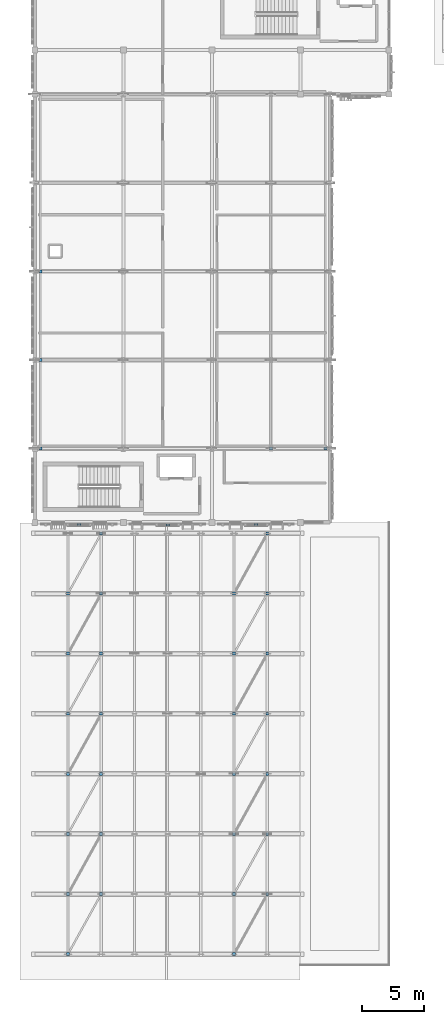
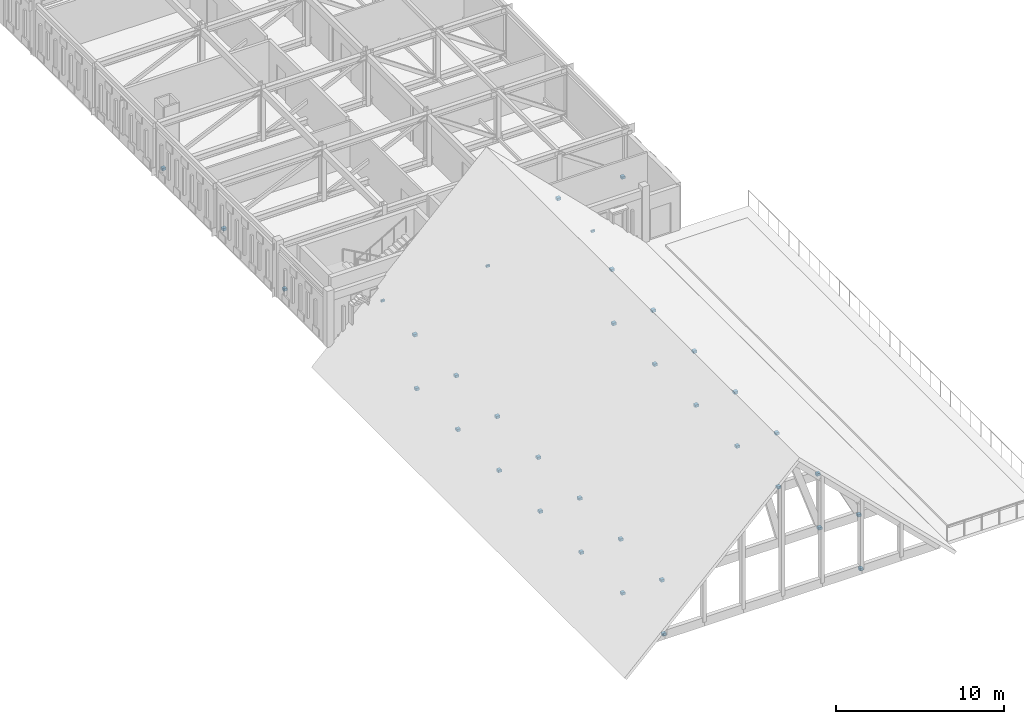
# One storey, part 55 of 79: 36 discrete accessories.
"""IFC4 building model written with IfcOpenShell, lengths in metres."""

import ifcopenshell
import ifcopenshell.guid

model = None  # the IFC model being written
_history = None  # IfcOwnerHistory: only IFC2X3 demands one
_inside = {}  # id of a spatial element -> (the spatial element, [elements in it])
_under = {}  # id of a project, library or spatial element -> (it, [spatial elements below it])
_declared = {}  # id of a project -> (the project, [libraries it declares])
_typed = {}  # id of a type object -> (the type object, [elements of that type])
_made_of = {}  # id of a material, layer set ... -> (it, [elements and type objects made of it])


def new_model(schema):
    """Start an empty IFC model of exactly this schema.

    Asked for "IFC4X3", IfcOpenShell would pick the latest addendum, in which some entities
    have other attributes; the version numbers below select the first issue.
    IFC2X3 requires an IfcOwnerHistory on every rooted entity: one is made here for all.
    """
    global model, _history
    if schema == "IFC4X3":
        model = ifcopenshell.file(schema_version=(4, 3, 0, 0))
    else:
        model = ifcopenshell.file(schema=schema)
    _inside.clear()
    _under.clear()
    _declared.clear()
    _typed.clear()
    _made_of.clear()
    _history = None
    if model.schema == "IFC2X3":
        org = make("IfcOrganization", Name="unknown")
        user = make(
            "IfcPersonAndOrganization",
            ThePerson=make("IfcPerson", FamilyName="unknown"),
            TheOrganization=org,
        )
        app = make(
            "IfcApplication",
            ApplicationDeveloper=org,
            Version="unknown",
            ApplicationFullName="unknown",
            ApplicationIdentifier="unknown",
        )
        _history = make(
            "IfcOwnerHistory",
            OwningUser=user,
            OwningApplication=app,
            ChangeAction="ADDED",
            CreationDate=0,
        )
    return model


def make(cls, **values):
    """One entity of the class cls with the attributes given. An attribute that is None is left unset."""
    return model.create_entity(
        cls, **{name: value for name, value in values.items() if value is not None}
    )


def rooted(cls, **values):
    """An entity with a GlobalId (a new one), such as an element, a storey or a relation."""
    return make(cls, GlobalId=ifcopenshell.guid.new(), OwnerHistory=_history, **values)


def si_unit(unit_type, name, prefix=None):
    """IfcSIUnit, for example si_unit("LENGTHUNIT", "METRE", prefix="MILLI")."""
    return make("IfcSIUnit", UnitType=unit_type, Prefix=prefix, Name=name)


def assignment(units):
    """IfcUnitAssignment: the units of a project."""
    return None if units is None else make("IfcUnitAssignment", Units=units)


def point(xyz):
    """IfcCartesianPoint."""
    return None if xyz is None else make("IfcCartesianPoint", Coordinates=xyz)


def direction(xyz):
    """IfcDirection."""
    return None if xyz is None else make("IfcDirection", DirectionRatios=xyz)


def frame(location, z_axis=None, x_axis=None):
    """IfcAxis2Placement3D, a coordinate frame: its origin and axes. An axis left out is left unset."""
    return make(
        "IfcAxis2Placement3D",
        Location=point(location),
        Axis=direction(z_axis),
        RefDirection=direction(x_axis),
    )


def frame_2d(location, x_axis=None):
    """IfcAxis2Placement2D, a coordinate frame in the plane: its origin and x axis."""
    return make(
        "IfcAxis2Placement2D", Location=point(location), RefDirection=direction(x_axis)
    )


def origin():
    """The frame at (0, 0, 0) with its axes left unset."""
    return frame((0.0, 0.0, 0.0))


def origin_2d():
    """The frame at (0, 0) in the plane with its x axis left unset."""
    return frame_2d((0.0, 0.0))


def place(relative_to, where):
    """IfcLocalPlacement: puts the frame where relative to a parent placement (None: the world)."""
    return make(
        "IfcLocalPlacement", PlacementRelTo=relative_to, RelativePlacement=where
    )


def context(
    kind, dimensions, precision=None, world=None, true_north=None, identifier=None
):
    """IfcGeometricRepresentationContext, for example the 3D "Model" context."""
    return make(
        "IfcGeometricRepresentationContext",
        ContextIdentifier=identifier,
        ContextType=kind,
        CoordinateSpaceDimension=dimensions,
        Precision=precision,
        WorldCoordinateSystem=world,
        TrueNorth=true_north,
    )


def subcontext(parent, identifier, kind, view, scale=None):
    """IfcGeometricRepresentationSubContext, for example "Body" below "Model"."""
    return make(
        "IfcGeometricRepresentationSubContext",
        ContextIdentifier=identifier,
        ContextType=kind,
        ParentContext=parent,
        TargetScale=scale,
        TargetView=view,
    )


def project(units=None, contexts=None):
    """IfcProject with its units and contexts."""
    return rooted(
        "IfcProject",
        Name="project",
        RepresentationContexts=contexts,
        UnitsInContext=assignment(units),
    )


def spatial(cls, under=None, at=None, **own):
    """A site, building, storey or space (cls), placed at a placement, below another one or the project."""
    s = rooted(cls, ObjectPlacement=at, **own)
    if under is not None:
        _under.setdefault(under.id(), (under, []))[1].append(s)
    return s


def profile(cls, at=None, kind="AREA", **sizes):
    """A parametric profile (cls). Its sizes go by their IFC names, for example OverallWidth=200.0."""
    return make(cls, ProfileType=kind, Position=at, **sizes)


def rectangle(**sizes):
    """IfcRectangleProfileDef."""
    return profile("IfcRectangleProfileDef", **sizes)


def extrude(swept, where, along, depth):
    """IfcExtrudedAreaSolid: the profile swept, set in the frame where, extruded along a direction by depth."""
    return make(
        "IfcExtrudedAreaSolid",
        SweptArea=swept,
        Position=where,
        ExtrudedDirection=direction(along),
        Depth=depth,
    )


def shape(context_of_items, identifier, shape_type, items):
    """IfcShapeRepresentation: the items that make up one representation, for example the "Body"."""
    return make(
        "IfcShapeRepresentation",
        ContextOfItems=context_of_items,
        RepresentationIdentifier=identifier,
        RepresentationType=shape_type,
        Items=items,
    )


def material(Name=None, Category=None):
    """IfcMaterial."""
    return make("IfcMaterial", Name=Name, Category=Category)


def made_of(thing, what):
    """Note that an element or type object is made of a material, layer set ...; save() writes the relation."""
    if what is not None:
        _made_of.setdefault(what.id(), (what, []))[1].append(thing)
    return thing


def type_object(cls, material=None, **own):
    """A type object (cls), such as IfcWallType, which elements share."""
    return made_of(rooted(cls, **own), material)


def element(
    cls,
    number,
    at=None,
    inside=None,
    cuts=None,
    type_object=None,
    material=None,
    context=None,
    identifier="Body",
    shape_type=None,
    held_by="IfcProductDefinitionShape",
    body=None,
    shapes=None,
    **own,
):
    """One element of the class cls, such as IfcWall. Its Tag is "e" and its number.

    at: its placement. inside: the storey or other place that contains it. cuts: it is an
    opening in that element (IfcRelVoidsElement). A single representation is given by context,
    identifier, shape_type and body (its items); several are given by shapes. held_by: the class
    of the entity that holds the representations. save() writes the other relations.
    """
    e = rooted(cls, Tag="e%d" % number, ObjectPlacement=at, **own)
    if body is not None:
        shapes = [shape(context, identifier, shape_type, body)]
    if shapes is not None:
        e.Representation = make(held_by, Representations=shapes)
    if inside is not None:
        _inside.setdefault(inside.id(), (inside, []))[1].append(e)
    if cuts is not None:
        rooted(
            "IfcRelVoidsElement", RelatingBuildingElement=cuts, RelatedOpeningElement=e
        )
    if type_object is not None:
        _typed.setdefault(type_object.id(), (type_object, []))[1].append(e)
    return made_of(e, material)


def aggregate(whole, parts):
    """IfcRelAggregates: a whole, such as a stair, and the parts it consists of."""
    return rooted("IfcRelAggregates", RelatingObject=whole, RelatedObjects=parts)


def save(model, path):
    """Write the relations noted so far, then the file.

    IfcRelAggregates (storeys below a building ...), IfcRelContainedInSpatialStructure (elements
    in a storey), IfcRelDefinesByType, IfcRelAssociatesMaterial and IfcRelDeclares: one each for
    every whole, place, type object, material and project.
    """
    for whole, parts in _under.values():
        aggregate(whole, parts)
    for where, things in _inside.values():
        rooted(
            "IfcRelContainedInSpatialStructure",
            RelatedElements=things,
            RelatingStructure=where,
        )
    for kind, things in _typed.values():
        rooted("IfcRelDefinesByType", RelatedObjects=things, RelatingType=kind)
    for what, things in _made_of.values():
        rooted("IfcRelAssociatesMaterial", RelatedObjects=things, RelatingMaterial=what)
    for by, libraries in _declared.values():
        rooted("IfcRelDeclares", RelatingContext=by, RelatedDefinitions=libraries)
    model.write(path)


model = new_model("IFC4")

# Units and contexts
model_context = context("Model", 3, precision=1e-05, world=origin(), true_north=direction((0.0, 1.0)))
body_context = subcontext(model_context, "Body", "Model", "MODEL_VIEW")
ifc_project = project(units=[si_unit("LENGTHUNIT", "METRE"), si_unit("AREAUNIT", "SQUARE_METRE"), si_unit("VOLUMEUNIT", "CUBIC_METRE"), si_unit("PLANEANGLEUNIT", "RADIAN"), si_unit("MASSUNIT", "GRAM", prefix="KILO")], contexts=[model_context])

# Site, building, storey
site_placement = place(None, origin())
site = spatial("IfcSite", under=ifc_project, at=site_placement, CompositionType="ELEMENT")
building_placement = place(site_placement, origin())
building = spatial("IfcBuilding", under=site, at=building_placement, Name="Nzembalo Square Collegiate School", CompositionType="ELEMENT")
storey_placement = place(building_placement, frame((0.0, 0.0, 9.52001953125)))
storey = spatial("IfcBuildingStorey", under=building, at=storey_placement, Name="L02", CompositionType="ELEMENT", Elevation=9.52001953125)

# Discrete accessories
ifc_material = material(Name="Steel S355", Category="steel")
discrete_accessory_type = type_object("IfcDiscreteAccessoryType", Name="BK01", PredefinedType="BRACKET", material=ifc_material)
for number, where, z_axis, x_axis, name in (
    (1, (12.0, 44.21240234375, 1.98974609375), (0.0, 0.0, 1.0), (1.0, 0.0, 0.0), "Screen bracket BK01-009"),
    (2, (19.199951171875, 44.202392578125, 1.98974609375), (0.0, 0.0, 1.0), (1.0, 0.0, 0.0), "Screen bracket BK01-010"),
    (3, (26.39990234375, 44.21240234375, 1.98974609375), (0.0, 0.0, 1.0), (1.0, 0.0, 0.0), "Screen bracket BK01-011"),
):
    element("IfcDiscreteAccessory", number, at=place(storey_placement, frame(where, z_axis=z_axis, x_axis=x_axis)), inside=storey, type_object=discrete_accessory_type, Name=name, PredefinedType="BRACKET", context=body_context, shape_type="SweptSolid", body=[
        extrude(rectangle(XDim=0.239990234375, YDim=0.1201171875, at=origin_2d()), origin(), (0.0, 0.0, 1.0), 0.139892578125),
    ])
for number, where, z_axis, x_axis, name in (
    (4, (11.10009765625, 9.300048828125, -0.68994140625), (0.0, 0.0, 1.0), (1.0, 0.0, 0.0), "Steel S355 brace end gusset shoe BK01-B001"),
    (5, (13.800048828125, 14.185791015625, -0.68994140625), (0.0, 0.0, 1.0), (1.0, 0.0, 0.0), "Steel S355 brace end gusset shoe BK01-B002"),
    (6, (24.60009765625, 9.300048828125, -0.68994140625), (0.0, 0.0, 1.0), (1.0, 0.0, 0.0), "Steel S355 brace end gusset shoe BK01-B003"),
    (7, (27.300048828125, 14.185791015625, -0.68994140625), (0.0, 0.0, 1.0), (1.0, 0.0, 0.0), "Steel S355 brace end gusset shoe BK01-B004"),
    (8, (11.10009765625, 14.185791015625, -0.68994140625), (0.0, 0.0, 1.0), (1.0, 0.0, 0.0), "Steel S355 brace end gusset shoe BK01-B005"),
    (9, (13.800048828125, 19.0712890625, -0.68994140625), (0.0, 0.0, 1.0), (1.0, 0.0, 0.0), "Steel S355 brace end gusset shoe BK01-B006"),
    (10, (24.60009765625, 14.185791015625, -0.68994140625), (0.0, 0.0, 1.0), (1.0, 0.0, 0.0), "Steel S355 brace end gusset shoe BK01-B007"),
    (11, (27.300048828125, 19.0712890625, -0.68994140625), (0.0, 0.0, 1.0), (1.0, 0.0, 0.0), "Steel S355 brace end gusset shoe BK01-B008"),
    (12, (11.10009765625, 19.0712890625, -0.68994140625), (0.0, 0.0, 1.0), (1.0, 0.0, 0.0), "Steel S355 brace end gusset shoe BK01-B009"),
    (13, (13.800048828125, 23.95703125, -0.68994140625), (0.0, 0.0, 1.0), (1.0, 0.0, 0.0), "Steel S355 brace end gusset shoe BK01-B010"),
    (14, (24.60009765625, 19.0712890625, -0.68994140625), (0.0, 0.0, 1.0), (1.0, 0.0, 0.0), "Steel S355 brace end gusset shoe BK01-B011"),
    (15, (27.300048828125, 23.95703125, -0.68994140625), (0.0, 0.0, 1.0), (1.0, 0.0, 0.0), "Steel S355 brace end gusset shoe BK01-B012"),
    (16, (11.10009765625, 23.95703125, -0.68994140625), (0.0, 0.0, 1.0), (1.0, 0.0, 0.0), "Steel S355 brace end gusset shoe BK01-B013"),
    (17, (13.800048828125, 28.843017578125, -0.68994140625), (0.0, 0.0, 1.0), (1.0, 0.0, 0.0), "Steel S355 brace end gusset shoe BK01-B014"),
    (18, (24.60009765625, 23.95703125, -0.68994140625), (0.0, 0.0, 1.0), (1.0, 0.0, 0.0), "Steel S355 brace end gusset shoe BK01-B015"),
    (19, (27.300048828125, 28.843017578125, -0.68994140625), (0.0, 0.0, 1.0), (1.0, 0.0, 0.0), "Steel S355 brace end gusset shoe BK01-B016"),
    (20, (11.10009765625, 28.843017578125, -0.68994140625), (0.0, 0.0, 1.0), (1.0, 0.0, 0.0), "Steel S355 brace end gusset shoe BK01-B017"),
    (21, (13.800048828125, 33.728515625, -0.68994140625), (0.0, 0.0, 1.0), (1.0, 0.0, 0.0), "Steel S355 brace end gusset shoe BK01-B018"),
    (22, (24.60009765625, 28.843017578125, -0.68994140625), (0.0, 0.0, 1.0), (1.0, 0.0, 0.0), "Steel S355 brace end gusset shoe BK01-B019"),
    (23, (27.300048828125, 33.728515625, -0.68994140625), (0.0, 0.0, 1.0), (1.0, 0.0, 0.0), "Steel S355 brace end gusset shoe BK01-B020"),
    (24, (11.10009765625, 33.728515625, -0.68994140625), (0.0, 0.0, 1.0), (1.0, 0.0, 0.0), "Steel S355 brace end gusset shoe BK01-B021"),
    (25, (13.800048828125, 38.6142578125, -0.68994140625), (0.0, 0.0, 1.0), (1.0, 0.0, 0.0), "Steel S355 brace end gusset shoe BK01-B022"),
    (26, (24.60009765625, 33.728515625, -0.68994140625), (0.0, 0.0, 1.0), (1.0, 0.0, 0.0), "Steel S355 brace end gusset shoe BK01-B023"),
    (27, (27.300048828125, 38.6142578125, -0.68994140625), (0.0, 0.0, 1.0), (1.0, 0.0, 0.0), "Steel S355 brace end gusset shoe BK01-B024"),
    (28, (11.10009765625, 38.6142578125, -0.68994140625), (0.0, 0.0, 1.0), (1.0, 0.0, 0.0), "Steel S355 brace end gusset shoe BK01-B025"),
    (29, (13.800048828125, 43.5, -0.68994140625), (0.0, 0.0, 1.0), (1.0, 0.0, 0.0), "Steel S355 brace end gusset shoe BK01-B026"),
    (30, (24.60009765625, 38.6142578125, -0.68994140625), (0.0, 0.0, 1.0), (1.0, 0.0, 0.0), "Steel S355 brace end gusset shoe BK01-B027"),
    (31, (27.300048828125, 43.5, -0.68994140625), (0.0, 0.0, 1.0), (1.0, 0.0, 0.0), "Steel S355 brace end gusset shoe BK01-B028"),
    (32, (32.02001953125, 50.39990234375, 0.169921875), (0.0, 0.0, 1.0), (1.0, 0.0, 0.0), "Steel S355 brace end gusset shoe BK01-B077"),
    (33, (27.60009765625, 50.39990234375, 0.169921875), (0.0, 0.0, 1.0), (1.0, 0.0, 0.0), "Steel S355 brace end gusset shoe BK01-B079"),
    (34, (8.85009765625, 50.39990234375, 0.169921875), (0.0, 0.0, 1.0), (1.0, 0.0, 0.0), "Steel S355 brace end gusset shoe BK01-B087"),
    (35, (8.85009765625, 57.60009765625, 0.169921875), (0.0, 0.0, 1.0), (1.0, 0.0, 0.0), "Steel S355 brace end gusset shoe BK01-B088"),
    (36, (8.85009765625, 64.800048828125, 0.169921875), (0.0, 0.0, 1.0), (1.0, 0.0, 0.0), "Steel S355 brace end gusset shoe BK01-B089"),
):
    element("IfcDiscreteAccessory", number, at=place(storey_placement, frame(where, z_axis=z_axis, x_axis=x_axis)), inside=storey, type_object=discrete_accessory_type, Name=name, PredefinedType="BRACKET", context=body_context, shape_type="SweptSolid", body=[
        extrude(rectangle(XDim=0.239990234375, YDim=0.239990234375, at=origin_2d()), origin(), (0.0, 0.0, 1.0), 0.179931640625),
    ])

save(model, "model.ifc")
